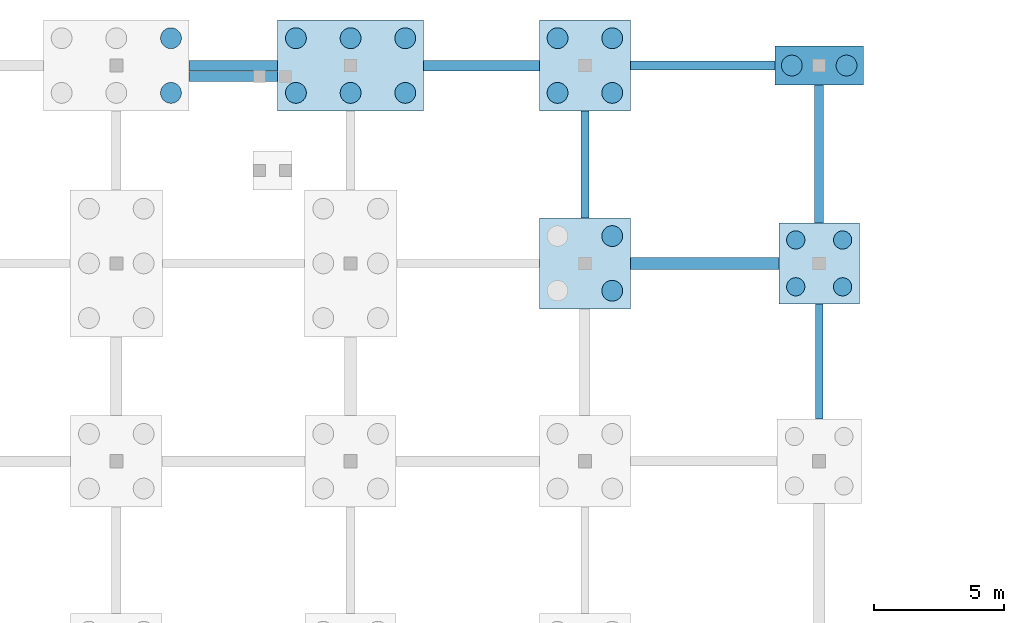
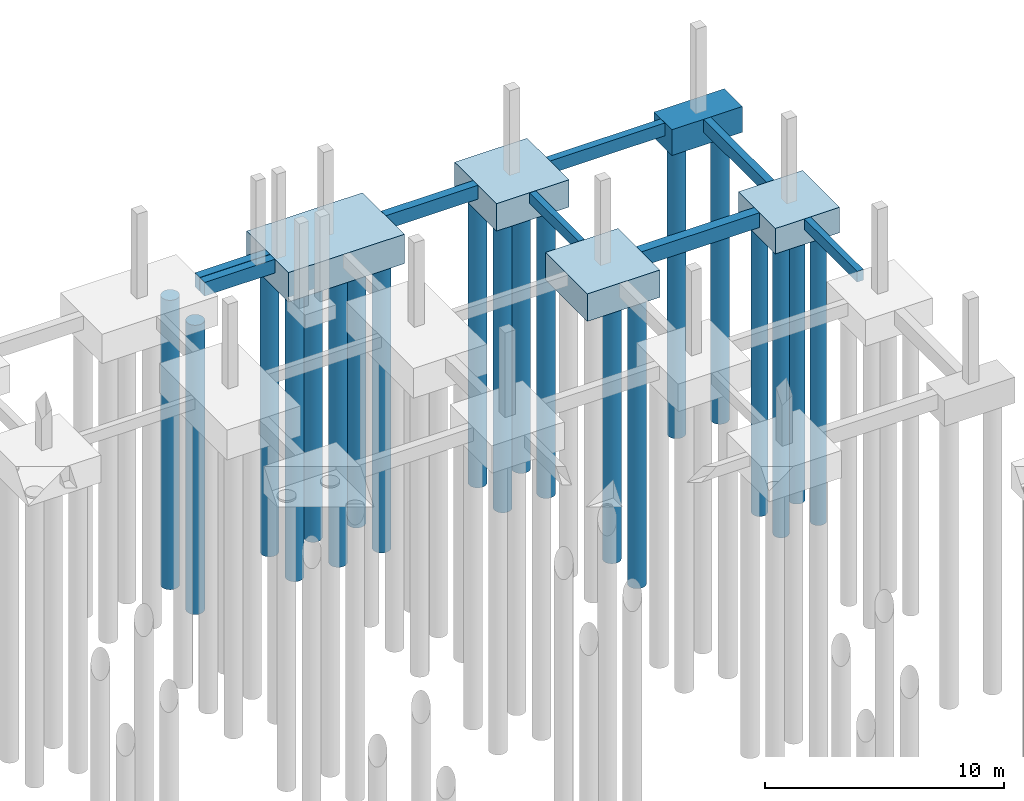
# One storey, part 12 of 28: 20 piles, 13 footings.
"""IFC4 building model written with IfcOpenShell, lengths in metres."""

from ifc_helpers import new_model, si_unit, direction, frame, origin, origin_2d, place, context, subcontext, project, spatial, rectangle, circle, extrude, material, layer, layer_set, material_profile, profile_set, type_object, element, save


model = new_model("IFC4")

# Units and contexts
model_context = context("Model", 3, precision=1e-05, world=origin(), true_north=direction((0.0, 1.0)))
body_context = subcontext(model_context, "Body", "Model", "MODEL_VIEW")
ifc_project = project(units=[si_unit("LENGTHUNIT", "METRE"), si_unit("AREAUNIT", "SQUARE_METRE"), si_unit("VOLUMEUNIT", "CUBIC_METRE"), si_unit("PLANEANGLEUNIT", "RADIAN"), si_unit("MASSUNIT", "GRAM", prefix="KILO")], contexts=[model_context])

# Site, building, storey
site_placement = place(None, origin())
site = spatial("IfcSite", under=ifc_project, at=site_placement, CompositionType="ELEMENT")
building_placement = place(site_placement, origin())
building = spatial("IfcBuilding", under=site, at=building_placement, Name="Caisbarro Railhouse Central Library", CompositionType="ELEMENT")
storey_placement = place(building_placement, frame((0.0, 0.0, -4.320068359375)))
storey = spatial("IfcBuildingStorey", under=building, at=storey_placement, Name="B01", CompositionType="ELEMENT", Elevation=-4.320068359375)

# Footings
ifc_material_1 = material(Name="Concrete C35", Category="concrete")
footing_type_1 = type_object("IfcFootingType", Name="FTG-FB01", PredefinedType="FOOTING_BEAM", material=ifc_material_1)
footing_1_placement = place(storey_placement, frame((148.52490234375, 114.0, -0.64990234375), z_axis=(0.0, 0.0, 1.0), x_axis=(1.0, 0.0, 0.0)))
element("IfcFooting", 1, at=footing_1_placement, inside=storey, type_object=footing_type_1, Name="FB01 ground tie beam 244", PredefinedType="FOOTING_BEAM", context=body_context, shape_type="SweptSolid", body=[
    extrude(rectangle(XDim=5.5458984375, YDim=0.35009765625, at=origin_2d()), origin(), (0.0, 0.0, 1.0), 0.64990234375),
])
footing_2_placement = place(storey_placement, frame((153.0, 110.60009765625, -0.64990234375), z_axis=(0.0, 0.0, 1.0), x_axis=(0.0, 1.0, 0.0)))
element("IfcFooting", 2, at=footing_2_placement, inside=storey, type_object=footing_type_1, Name="FB01 ground tie beam 256", PredefinedType="FOOTING_BEAM", context=body_context, shape_type="SweptSolid", body=[
    extrude(rectangle(XDim=5.2958984375, YDim=0.35009765625, at=origin_2d()), origin(), (0.0, 0.0, 1.0), 0.64990234375),
])
footing_type_2 = type_object("IfcFootingType", Name="FTG-FB02", PredefinedType="FOOTING_BEAM", material=ifc_material_1)
footing_3_placement = place(storey_placement, frame((130.5, 114.0, -0.69970703125), z_axis=(0.0, 0.0, 1.0), x_axis=(1.0, 0.0, 0.0)))
element("IfcFooting", 3, at=footing_3_placement, inside=storey, type_object=footing_type_2, Name="FB02 ground tie beam 209", PredefinedType="FOOTING_BEAM", context=body_context, shape_type="SweptSolid", body=[
    extrude(rectangle(XDim=3.39599609375, YDim=0.39990234375, at=origin_2d()), origin(), (0.0, 0.0, 1.0), 0.699951171875),
])
footing_4_placement = place(storey_placement, frame((140.02490234375, 114.0, -0.69970703125), z_axis=(0.0, 0.0, 1.0), x_axis=(1.0, 0.0, 0.0)))
element("IfcFooting", 4, at=footing_4_placement, inside=storey, type_object=footing_type_2, Name="FB02 ground tie beam 221", PredefinedType="FOOTING_BEAM", context=body_context, shape_type="SweptSolid", body=[
    extrude(rectangle(XDim=4.446044921875, YDim=0.39990234375, at=origin_2d()), origin(), (0.0, 0.0, 1.0), 0.699951171875),
])
footing_5_placement = place(storey_placement, frame((130.5, 113.580078125, -0.69970703125), z_axis=(0.0, 0.0, 1.0), x_axis=(1.0, 0.0, 0.0)))
element("IfcFooting", 5, at=footing_5_placement, inside=storey, type_object=footing_type_2, Name="FB02 stair pier tie beam K3N", PredefinedType="FOOTING_BEAM", context=body_context, shape_type="SweptSolid", body=[
    extrude(rectangle(XDim=3.39599609375, YDim=0.39990234375, at=origin_2d()), origin(), (0.0, 0.0, 1.0), 0.699951171875),
])
footing_type_3 = type_object("IfcFootingType", Name="FTG-FB03", PredefinedType="FOOTING_BEAM", material=ifc_material_1)
footing_6_placement = place(storey_placement, frame((148.60009765625, 106.39990234375, -0.75), z_axis=(0.0, 0.0, 1.0), x_axis=(1.0, 0.0, 0.0)))
element("IfcFooting", 6, at=footing_6_placement, inside=storey, type_object=footing_type_3, Name="FB03 ground tie beam 242", PredefinedType="FOOTING_BEAM", context=body_context, shape_type="SweptSolid", body=[
    extrude(rectangle(XDim=5.696044921875, YDim=0.449951171875, at=origin_2d()), origin(), (0.0, 0.0, 1.0), 0.75),
])
footing_type_4 = type_object("IfcFootingType", Name="FTG-FB04", PredefinedType="FOOTING_BEAM", material=ifc_material_1)
footing_7_placement = place(storey_placement, frame((144.0, 110.199951171875, -0.5498046875), z_axis=(0.0, 0.0, 1.0), x_axis=(0.0, 1.0, 0.0)))
element("IfcFooting", 7, at=footing_7_placement, inside=storey, type_object=footing_type_4, Name="FB04 ground tie beam 243", PredefinedType="FOOTING_BEAM", context=body_context, shape_type="SweptSolid", body=[
    extrude(rectangle(XDim=4.095947265625, YDim=0.300048828125, at=origin_2d()), origin(), (0.0, 0.0, 1.0), 0.550048828125),
])
footing_8_placement = place(storey_placement, frame((153.0, 102.637451171875, -0.5498046875), z_axis=(0.0, 0.0, 1.0), x_axis=(0.0, 1.0, 0.0)))
element("IfcFooting", 8, at=footing_8_placement, inside=storey, type_object=footing_type_4, Name="FB04 ground tie beam 255", PredefinedType="FOOTING_BEAM", context=body_context, shape_type="SweptSolid", body=[
    extrude(rectangle(XDim=4.4208984375, YDim=0.300048828125, at=origin_2d()), origin(), (0.0, 0.0, 1.0), 0.550048828125),
])
ifc_material_2 = material(Name="Concrete C40", Category="concrete")
ifc_layer_1 = layer(ifc_material_2, 1.300048828125, Name="Concrete C40")
ifc_layer_set_1 = layer_set([ifc_layer_1], Name="Concrete C40")
footing_type_5 = type_object("IfcFootingType", Name="FTG-PC06", PredefinedType="PILE_CAP", material=ifc_layer_set_1)
footing_9_placement = place(storey_placement, frame((153.0, 106.39990234375, -1.2998046875), z_axis=(0.0, 0.0, 1.0), x_axis=(1.0, 0.0, 0.0)))
element("IfcFooting", 9, at=footing_9_placement, inside=storey, type_object=footing_type_5, Name="PC06 pile cap (219)", PredefinedType="PILE_CAP", context=body_context, shape_type="SweptSolid", body=[
    extrude(rectangle(XDim=3.10009765625, YDim=3.10009765625, at=origin_2d()), origin(), (0.0, 0.0, 1.0), 1.300048828125),
])
ifc_layer_2 = layer(ifc_material_2, 1.320068359375, Name="Concrete C40")
ifc_layer_set_2 = layer_set([ifc_layer_2], Name="Concrete C40")
footing_type_6 = type_object("IfcFootingType", Name="FTG-PC07", PredefinedType="PILE_CAP", material=ifc_layer_set_2)
footing_10_placement = place(storey_placement, frame((153.0, 114.0, -1.31982421875), z_axis=(0.0, 0.0, 1.0), x_axis=(1.0, 0.0, 0.0)))
element("IfcFooting", 10, at=footing_10_placement, inside=storey, type_object=footing_type_6, Name="PC07 pile cap (220)", PredefinedType="PILE_CAP", context=body_context, shape_type="SweptSolid", body=[
    extrude(rectangle(XDim=3.39990234375, YDim=1.5, at=origin_2d()), origin(), (0.0, 0.0, 1.0), 1.320068359375),
])
ifc_layer_3 = layer(ifc_material_2, 1.39990234375, Name="Concrete C40")
ifc_layer_set_3 = layer_set([ifc_layer_3], Name="Concrete C40")
footing_type_7 = type_object("IfcFootingType", Name="FTG-PC08", PredefinedType="PILE_CAP", material=ifc_layer_set_3)
for number, where, z_axis, x_axis, name in (
    (11, (144.0, 106.39990234375, -1.39990234375), (0.0, 0.0, 1.0), (1.0, 0.0, 0.0), "PC08 pile cap (205)"),
    (12, (144.0, 114.0, -1.39990234375), (0.0, 0.0, 1.0), (1.0, 0.0, 0.0), "PC08 pile cap (206)"),
):
    element("IfcFooting", number, at=place(storey_placement, frame(where, z_axis=z_axis, x_axis=x_axis)), inside=storey, type_object=footing_type_7, Name=name, PredefinedType="PILE_CAP", context=body_context, shape_type="SweptSolid", body=[
        extrude(rectangle(XDim=3.5, YDim=3.5, at=origin_2d()), origin(), (0.0, 0.0, 1.0), 1.39990234375),
    ])
ifc_layer_4 = layer(ifc_material_2, 1.5, Name="Concrete C40")
ifc_layer_set_4 = layer_set([ifc_layer_4], Name="Concrete C40")
footing_type_8 = type_object("IfcFootingType", Name="FTG-PC09", PredefinedType="PILE_CAP", material=ifc_layer_set_4)
footing_11_placement = place(storey_placement, frame((135.0, 114.0, -1.5), z_axis=(0.0, 0.0, 1.0), x_axis=(1.0, 0.0, 0.0)))
element("IfcFooting", 13, at=footing_11_placement, inside=storey, type_object=footing_type_8, Name="PC09 pile cap (192)", PredefinedType="PILE_CAP", context=body_context, shape_type="SweptSolid", body=[
    extrude(rectangle(XDim=5.60009765625, YDim=3.5, at=origin_2d()), origin(), (0.0, 0.0, 1.0), 1.5),
])

# Piles
ifc_material_profile_1 = material_profile(ifc_material_1, circle(Radius=0.35009765625, at=origin_2d()), Name="PILE-CFA-700")
ifc_profile_set_1 = profile_set([ifc_material_profile_1], Name="Concrete C35")
pile_type_1 = type_object("IfcPileType", Name="PILE-CFA700", PredefinedType="BORED", material=ifc_profile_set_1)
for number, where, z_axis, x_axis, name in (
    (14, (152.10009765625, 105.5, -1.199951171875), (0.0, 0.0, -1.0), (1.0, 0.0, 0.0), "PL70 CFA bored pile 219.1"),
    (15, (153.89990234375, 105.5, -1.199951171875), (0.0, 0.0, -1.0), (1.0, 0.0, 0.0), "PL70 CFA bored pile 219.2"),
    (16, (152.10009765625, 107.300048828125, -1.199951171875), (0.0, 0.0, -1.0), (1.0, 0.0, 0.0), "PL70 CFA bored pile 219.3"),
    (17, (153.89990234375, 107.300048828125, -1.199951171875), (0.0, 0.0, -1.0), (1.0, 0.0, 0.0), "PL70 CFA bored pile 219.4"),
):
    element("IfcPile", number, at=place(storey_placement, frame(where, z_axis=z_axis, x_axis=x_axis)), inside=storey, type_object=pile_type_1, Name=name, PredefinedType="BORED", context=body_context, shape_type="SweptSolid", body=[
        extrude(circle(Radius=0.35009765625, at=origin_2d()), origin(), (0.0, 0.0, 1.0), 14.97998046875),
    ])
ifc_material_profile_2 = material_profile(ifc_material_1, circle(Radius=0.39990234375, at=origin_2d()), Name="PILE-CFA-800")
ifc_profile_set_2 = profile_set([ifc_material_profile_2], Name="Concrete C35")
pile_type_2 = type_object("IfcPileType", Name="PILE-CFA800", PredefinedType="BORED", material=ifc_profile_set_2)
for number, where, z_axis, x_axis, name in (
    (18, (128.10009765625, 112.949951171875, -1.39990234375), (0.0, 0.0, -1.0), (1.0, 0.0, 0.0), "PL80 CFA bored pile 184.3"),
    (19, (128.10009765625, 115.050048828125, -1.39990234375), (0.0, 0.0, -1.0), (1.0, 0.0, 0.0), "PL80 CFA bored pile 184.6"),
    (20, (132.89990234375, 112.949951171875, -1.39990234375), (0.0, 0.0, -1.0), (1.0, 0.0, 0.0), "PL80 CFA bored pile 192.1"),
    (21, (135.0, 112.949951171875, -1.39990234375), (0.0, 0.0, -1.0), (1.0, 0.0, 0.0), "PL80 CFA bored pile 192.2"),
    (22, (137.10009765625, 112.949951171875, -1.39990234375), (0.0, 0.0, -1.0), (1.0, 0.0, 0.0), "PL80 CFA bored pile 192.3"),
    (23, (132.89990234375, 115.050048828125, -1.39990234375), (0.0, 0.0, -1.0), (1.0, 0.0, 0.0), "PL80 CFA bored pile 192.4"),
    (24, (135.0, 115.050048828125, -1.39990234375), (0.0, 0.0, -1.0), (1.0, 0.0, 0.0), "PL80 CFA bored pile 192.5"),
    (25, (137.10009765625, 115.050048828125, -1.39990234375), (0.0, 0.0, -1.0), (1.0, 0.0, 0.0), "PL80 CFA bored pile 192.6"),
):
    element("IfcPile", number, at=place(storey_placement, frame(where, z_axis=z_axis, x_axis=x_axis)), inside=storey, type_object=pile_type_2, Name=name, PredefinedType="BORED", context=body_context, shape_type="SweptSolid", body=[
        extrude(circle(Radius=0.39990234375, at=origin_2d()), origin(), (0.0, 0.0, 1.0), 14.780029296875),
    ])
for number, where, z_axis, x_axis, name in (
    (26, (145.050048828125, 105.35009765625, -1.300048828125), (0.0, 0.0, -1.0), (1.0, 0.0, 0.0), "PL80 CFA bored pile 205.2"),
    (27, (145.050048828125, 107.449951171875, -1.300048828125), (0.0, 0.0, -1.0), (1.0, 0.0, 0.0), "PL80 CFA bored pile 205.4"),
    (28, (142.949951171875, 112.949951171875, -1.300048828125), (0.0, 0.0, -1.0), (1.0, 0.0, 0.0), "PL80 CFA bored pile 206.1"),
    (29, (145.050048828125, 112.949951171875, -1.300048828125), (0.0, 0.0, -1.0), (1.0, 0.0, 0.0), "PL80 CFA bored pile 206.2"),
    (30, (142.949951171875, 115.050048828125, -1.300048828125), (0.0, 0.0, -1.0), (1.0, 0.0, 0.0), "PL80 CFA bored pile 206.3"),
    (31, (145.050048828125, 115.050048828125, -1.300048828125), (0.0, 0.0, -1.0), (1.0, 0.0, 0.0), "PL80 CFA bored pile 206.4"),
):
    element("IfcPile", number, at=place(storey_placement, frame(where, z_axis=z_axis, x_axis=x_axis)), inside=storey, type_object=pile_type_2, Name=name, PredefinedType="BORED", context=body_context, shape_type="SweptSolid", body=[
        extrude(circle(Radius=0.39990234375, at=origin_2d()), origin(), (0.0, 0.0, 1.0), 14.8798828125),
    ])
for number, where, z_axis, x_axis, name in (
    (32, (151.949951171875, 114.0, -1.219970703125), (0.0, 0.0, -1.0), (1.0, 0.0, 0.0), "PL80 CFA bored pile 220.1"),
    (33, (154.050048828125, 114.0, -1.219970703125), (0.0, 0.0, -1.0), (1.0, 0.0, 0.0), "PL80 CFA bored pile 220.2"),
):
    element("IfcPile", number, at=place(storey_placement, frame(where, z_axis=z_axis, x_axis=x_axis)), inside=storey, type_object=pile_type_2, Name=name, PredefinedType="BORED", context=body_context, shape_type="SweptSolid", body=[
        extrude(circle(Radius=0.39990234375, at=origin_2d()), origin(), (0.0, 0.0, 1.0), 14.9599609375),
    ])

save(model, "model.ifc")
